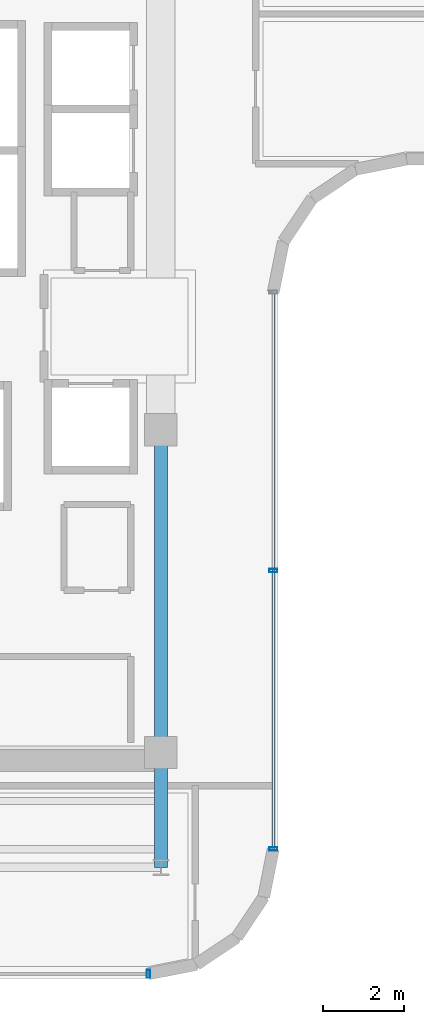
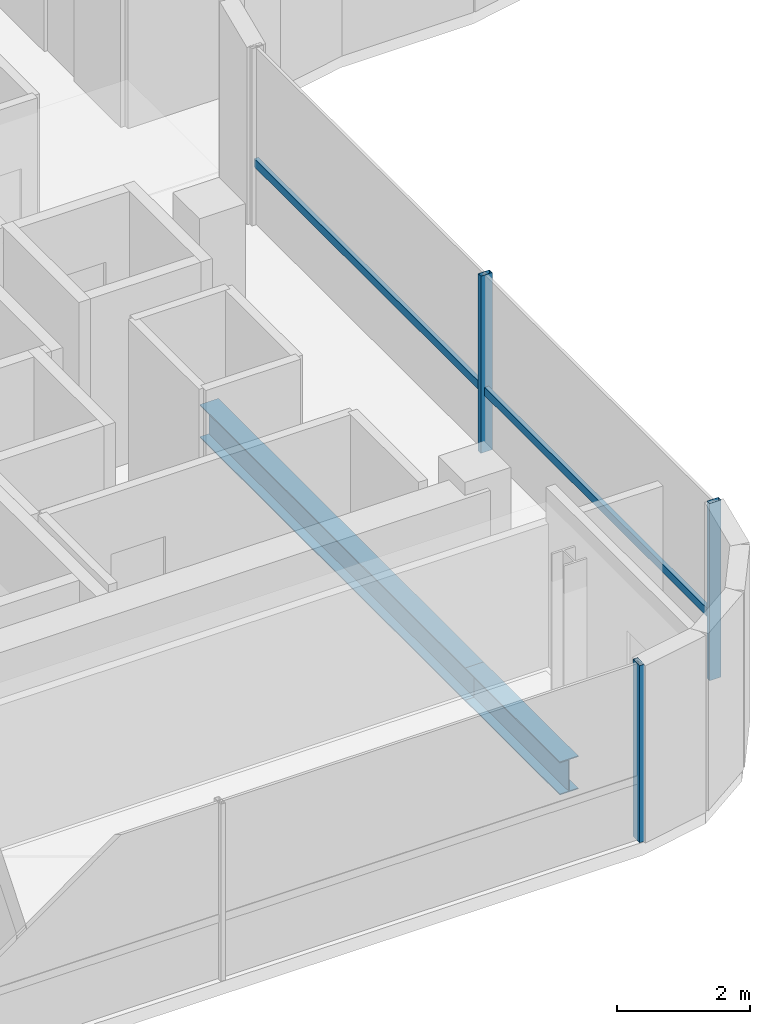
# One storey, part 6 of 20: 4 members, 2 beams, 2 elements without a shape of their own.
"""IFC4 building model written with IfcOpenShell, lengths in metres."""

from ifc_helpers import new_model, si_unit, direction, frame, origin, origin_2d, place, context, subcontext, project, spatial, hollow_rectangle, i_section, extrude, source, transform, mapped, material, material_profile, profile_set, type_object, element, aggregate, save


model = new_model("IFC4")

# Units and contexts
model_context = context("Model", 3, precision=1e-05, world=origin(), true_north=direction((0.0, 1.0)))
body_context = subcontext(model_context, "Body", "Model", "MODEL_VIEW")
ifc_project = project(units=[si_unit("LENGTHUNIT", "METRE"), si_unit("AREAUNIT", "SQUARE_METRE"), si_unit("VOLUMEUNIT", "CUBIC_METRE"), si_unit("PLANEANGLEUNIT", "RADIAN"), si_unit("MASSUNIT", "GRAM", prefix="KILO")], contexts=[model_context])

# Site, building, storey
site_placement = place(None, origin())
site = spatial("IfcSite", under=ifc_project, at=site_placement, CompositionType="ELEMENT")
building_placement = place(site_placement, origin())
building = spatial("IfcBuilding", under=site, at=building_placement, Name="Valdorenza Pilgrim Sanctuary Tower", CompositionType="ELEMENT")
storey_placement = place(building_placement, frame((0.0, 0.0, 283.5)))
storey = spatial("IfcBuildingStorey", under=building, at=storey_placement, Name="L74", CompositionType="ELEMENT", Elevation=283.5)

# Beams
ifc_material_1 = material(Name="Steel ASTM A992 Grade 50", Category="steel")
ifc_material_profile_1 = material_profile(ifc_material_1, i_section(OverallWidth=0.323974609375, OverallDepth=0.611083984375, WebThickness=0.0126953125, FlangeThickness=0.01904296875, at=origin_2d()), Name="W24X104")
ifc_profile_set_1 = profile_set([ifc_material_profile_1], Name="Steel ASTM A992 Grade 50")
beam_type = type_object("IfcBeamType", Name="STR-BM-GRD-W24B", PredefinedType="BEAM", material=ifc_profile_set_1)
shared_shape_1 = source(origin(), body_context, "Body", "SweptSolid", [
    extrude(i_section(OverallWidth=0.323974609375, OverallDepth=0.611083984375, WebThickness=0.0126953125, FlangeThickness=0.01904296875, at=origin_2d()), origin(), (0.0, 0.0, 1.0), 8.0),
])
beam_1_placement = place(storey_placement, frame((-12.39990234375, -10.60009765625, -0.54541015625), z_axis=(0.0, 1.0, 0.0), x_axis=(-1.0, 0.0, 0.0)))
element("IfcBeam", 1, at=beam_1_placement, inside=storey, type_object=beam_type, Name="L74 Core Tie Girder CA-E-S1M0", PredefinedType="BEAM", context=body_context, shape_type="MappedRepresentation", body=[
    mapped(shared_shape_1, transform((0.0, 0.0, 0.0), x_axis=(1.0, 0.0, 0.0), y_axis=(0.0, 1.0, 0.0), z_axis=(0.0, 0.0, 1.0), scale=1.0)),
])
shared_shape_2 = source(origin(), body_context, "Body", "SweptSolid", [
    extrude(i_section(OverallWidth=0.323974609375, OverallDepth=0.611083984375, WebThickness=0.0126953125, FlangeThickness=0.01904296875, at=origin_2d()), origin(), (0.0, 0.0, 1.0), 2.849853515625),
])
beam_2_placement = place(storey_placement, frame((-12.39990234375, -13.449951171875, -0.54541015625), z_axis=(0.0, 1.0, 0.0), x_axis=(-1.0, 0.0, 0.0)))
element("IfcBeam", 2, at=beam_2_placement, inside=storey, type_object=beam_type, Name="L74 Floor Girder WA-S-LE", PredefinedType="BEAM", context=body_context, shape_type="MappedRepresentation", body=[
    mapped(shared_shape_2, transform((0.0, 0.0, 0.0), x_axis=(1.0, 0.0, 0.0), y_axis=(0.0, 1.0, 0.0), z_axis=(0.0, 0.0, 1.0), scale=1.0)),
])

# Curtain wall, members
ifc_material_2 = material(Name="Curtain-wall IGU glazing", Category="glass")
curtain_wall_type = type_object("IfcCurtainWallType", Name="CW-SYS-02", PredefinedType="NOTDEFINED", material=ifc_material_2)
curtain_wall_1_placement = place(storey_placement, origin())
curtain_wall_1 = element("IfcCurtainWall", 3, at=curtain_wall_1_placement, inside=storey, type_object=curtain_wall_type, Name="L74 Curtain Wall CW-L74-1-21", PredefinedType="NOTDEFINED")
ifc_material_3 = material(Name="Anodised aluminium AW-6060", Category="aluminium")
ifc_material_profile_2 = material_profile(ifc_material_3, hollow_rectangle(XDim=0.0849609375, YDim=0.199951171875, WallThickness=0.0048828125, at=origin_2d()), Name="ALU-M 200x85x5")
ifc_profile_set_2 = profile_set([ifc_material_profile_2], Name="Anodised aluminium AW-6060")
member_type_1 = type_object("IfcMemberType", Name="CW-MUL-02", PredefinedType="MULLION", material=ifc_profile_set_2)
shared_shape_3 = source(origin(), body_context, "Body", "SweptSolid", [
    extrude(hollow_rectangle(XDim=0.0849609375, YDim=0.199951171875, WallThickness=0.0048828125, at=origin_2d()), origin(), (0.0, 0.0, 1.0), 3.260009765625),
])
member_1_placement = place(storey_placement, frame((-9.610107421875, -6.089111328125, 0.0), z_axis=(0.0, 0.0, 1.0), x_axis=(0.0, -1.0, 0.0)))
member_1 = element("IfcMember", 4, at=member_1_placement, type_object=member_type_1, Name="CW-L74-1-21 Mullion 2", PredefinedType="MULLION", context=body_context, shape_type="MappedRepresentation", body=[
    mapped(shared_shape_3, transform((0.0, 0.0, 0.0), x_axis=(1.0, 0.0, 0.0), y_axis=(0.0, 1.0, 0.0), z_axis=(0.0, 0.0, 1.0), scale=1.0)),
])
member_2_placement = place(storey_placement, frame((-9.610107421875, -12.9892578125, 0.0), z_axis=(0.0, 0.0, 1.0), x_axis=(0.0, -1.0, 0.0)))
member_2 = element("IfcMember", 5, at=member_2_placement, type_object=member_type_1, Name="CW-L74-1-21 Mullion 3", PredefinedType="MULLION", context=body_context, shape_type="MappedRepresentation", body=[
    mapped(shared_shape_3, transform((0.0, 0.0, 0.0), x_axis=(1.0, 0.0, 0.0), y_axis=(0.0, 1.0, 0.0), z_axis=(0.0, 0.0, 1.0), scale=1.0)),
])

# Curtain wall, member
curtain_wall_2_placement = place(storey_placement, origin())
curtain_wall_2 = element("IfcCurtainWall", 6, at=curtain_wall_2_placement, inside=storey, type_object=curtain_wall_type, Name="L74 Curtain Wall CW-L74-1-26", PredefinedType="NOTDEFINED")
member_3_placement = place(storey_placement, frame((-12.710693359375, -16.090087890625, 0.0), z_axis=(0.0, 0.0, 1.0), x_axis=(-1.0, 0.0, 0.0)))
member_3 = element("IfcMember", 7, at=member_3_placement, type_object=member_type_1, Name="CW-L74-1-26 Mullion 1", PredefinedType="MULLION", context=body_context, shape_type="MappedRepresentation", body=[
    mapped(shared_shape_3, transform((0.0, 0.0, 0.0), x_axis=(1.0, 0.0, 0.0), y_axis=(0.0, 1.0, 0.0), z_axis=(0.0, 0.0, 1.0), scale=1.0)),
])
aggregate(curtain_wall_2, [member_3])

# Member
ifc_material_profile_3 = material_profile(ifc_material_3, hollow_rectangle(XDim=0.074951171875, YDim=0.14990234375, WallThickness=0.00390625, at=origin_2d()), Name="ALU-T 150x75x4")
ifc_profile_set_3 = profile_set([ifc_material_profile_3], Name="Anodised aluminium AW-6060")
member_type_2 = type_object("IfcMemberType", Name="CW-TRN-02", PredefinedType="USERDEFINED", material=ifc_profile_set_3)
shared_shape_4 = source(origin(), body_context, "Body", "SweptSolid", [
    extrude(hollow_rectangle(XDim=0.074951171875, YDim=0.14990234375, WallThickness=0.00390625, at=origin_2d()), origin(), (0.0, 0.0, 1.0), 13.800048828125),
])
member_4_placement = place(storey_placement, frame((-9.610107421875, 0.810791015625, 1.1201171875), z_axis=(0.0, -1.0, 0.0), x_axis=(1.0, 0.0, 0.0)))
member_4 = element("IfcMember", 8, at=member_4_placement, type_object=member_type_2, Name="CW-L74-1-21 Transom 1", ObjectType="TRANSOM", PredefinedType="USERDEFINED", context=body_context, shape_type="MappedRepresentation", body=[
    mapped(shared_shape_4, transform((0.0, 0.0, 0.0), x_axis=(1.0, 0.0, 0.0), y_axis=(0.0, 1.0, 0.0), z_axis=(0.0, 0.0, 1.0), scale=1.0)),
])

aggregate(curtain_wall_1, [member_1, member_2, member_4])

save(model, "model.ifc")
